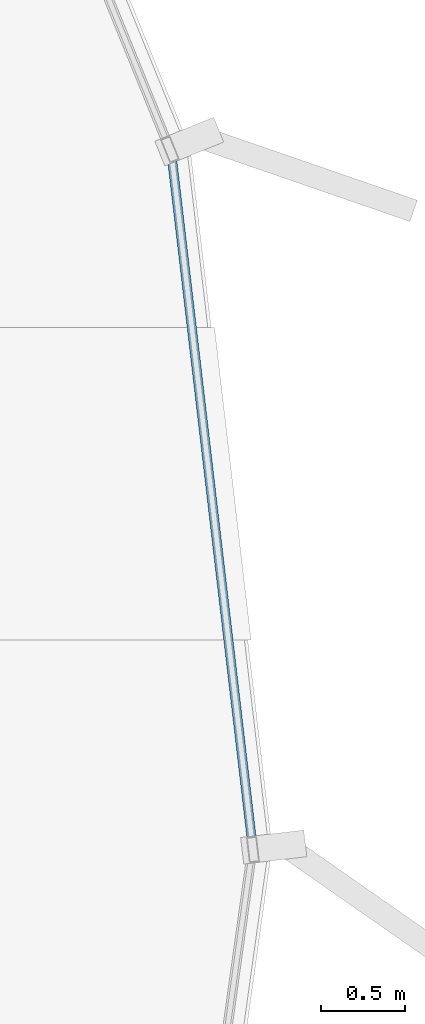
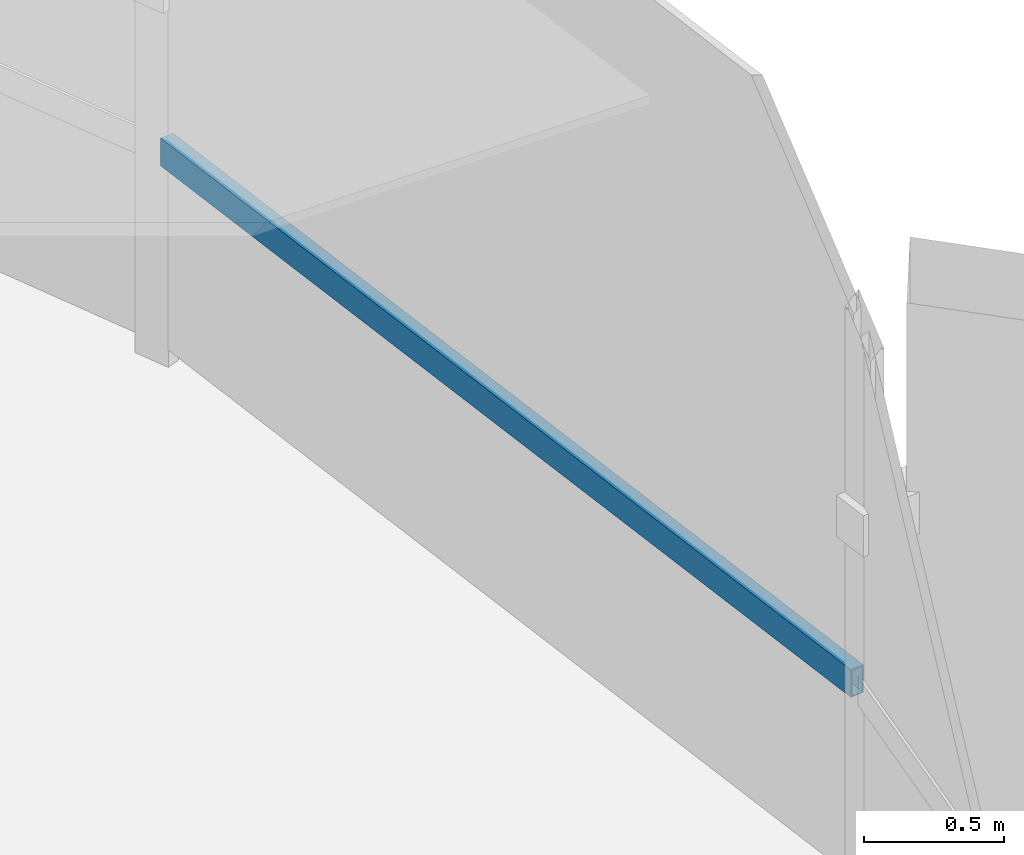
# One storey, part 16 of 35: 1 member, 1 element without a shape of its own.
"""IFC4 building model written with IfcOpenShell, lengths in metres."""

from ifc_helpers import new_model, si_unit, direction, frame, origin, origin_2d, place, context, subcontext, project, spatial, hollow_rectangle, extrude, source, transform, mapped, material, layer, layer_set, material_profile, profile_set, type_object, element, aggregate, save


model = new_model("IFC4")

# Units and contexts
model_context = context("Model", 3, precision=1e-05, world=origin(), true_north=direction((0.0, 1.0)))
body_context = subcontext(model_context, "Body", "Model", "MODEL_VIEW")
ifc_project = project(units=[si_unit("LENGTHUNIT", "METRE"), si_unit("AREAUNIT", "SQUARE_METRE"), si_unit("VOLUMEUNIT", "CUBIC_METRE"), si_unit("PLANEANGLEUNIT", "RADIAN"), si_unit("MASSUNIT", "GRAM", prefix="KILO"), si_unit("THERMODYNAMICTEMPERATUREUNIT", "KELVIN")], contexts=[model_context])

# Site, building, storey
site_placement = place(None, origin())
site = spatial("IfcSite", under=ifc_project, at=site_placement, CompositionType="ELEMENT")
building_placement = place(site_placement, origin())
building = spatial("IfcBuilding", under=site, at=building_placement, Name="Kethvar Cultural Tower", CompositionType="ELEMENT")
storey_placement = place(building_placement, frame((0.0, 0.0, 92.800048828125)))
storey = spatial("IfcBuildingStorey", under=building, at=storey_placement, Name="L22", CompositionType="ELEMENT", Elevation=92.800048828125)

# Curtain wall, member
ifc_material = material(Name="Aluminium 6063-T6", Category="aluminium")
ifc_layer = layer(ifc_material, 0.179931640625, Name="Aluminium 6063-T6", Category="aluminium")
ifc_layer_set = layer_set([ifc_layer], Name="Aluminium 6063-T6 (180 mm)")
curtain_wall_type = type_object("IfcCurtainWallType", Name="CW-SYS-03-Z2", PredefinedType="NOTDEFINED", material=ifc_layer_set)
curtain_wall_placement = place(storey_placement, origin())
curtain_wall = element("IfcCurtainWall", 1, at=curtain_wall_placement, inside=storey, type_object=curtain_wall_type, Name="L22 Curtain Wall Run 06", PredefinedType="NOTDEFINED")
ifc_material_profile = material_profile(ifc_material, hollow_rectangle(XDim=0.054931640625, YDim=0.1201171875, WallThickness=0.00390625, at=origin_2d()), Name="Aluminium 6063-T6 — RHS120x55x4")
ifc_profile_set = profile_set([ifc_material_profile], Name="Aluminium 6063-T6 — RHS120x55x4")
member_type = type_object("IfcMemberType", Name="CW-SYS-03-Z2-TRN", PredefinedType="USERDEFINED", material=ifc_profile_set)
shared_shape = source(origin(), body_context, "Body", "SweptSolid", [
    extrude(hollow_rectangle(XDim=0.054931640625, YDim=0.1201171875, WallThickness=0.00390625, at=origin_2d()), origin(), (0.0, 0.0, 1.0), 4.11962890625),
])
member_placement = place(storey_placement, frame((78.62841796875, 31.729248046875, 0.949951171875), z_axis=(-0.116335766848, 0.993209942234, 0.0), x_axis=(-0.993209942234, -0.116335766848, 0.0)))
member = element("IfcMember", 2, at=member_placement, type_object=member_type, Name="CW-L22-R06 Transom 6", ObjectType="TRANSOM", PredefinedType="USERDEFINED", context=body_context, shape_type="MappedRepresentation", body=[
    mapped(shared_shape, transform((0.0, 0.0, 0.0), scale=1.0)),
])
aggregate(curtain_wall, [member])

save(model, "model.ifc")
